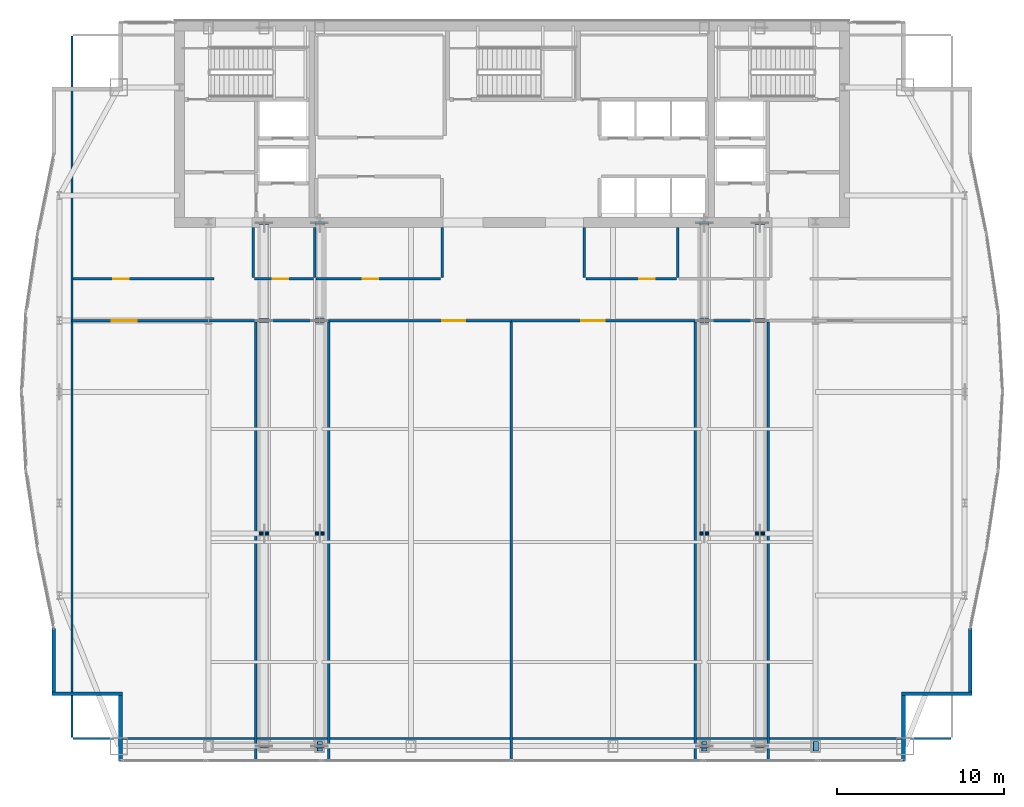
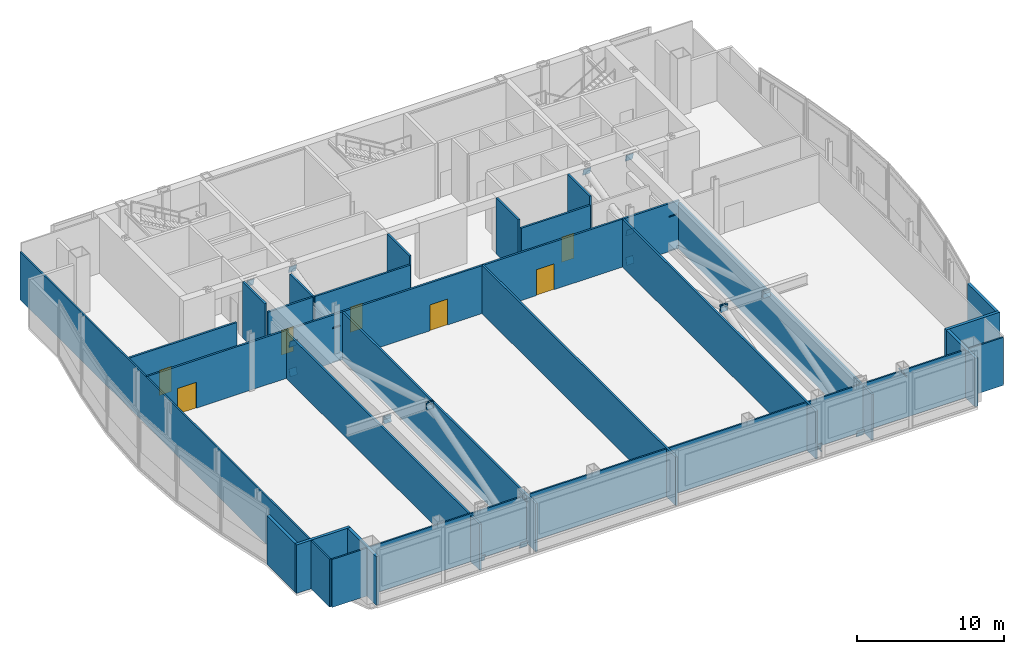
# One storey, part 27 of 32: 27 plates, 27 walls, 7 doors, 7 openings.
"""IFC4 building model written with IfcOpenShell, lengths in metres."""

from ifc_helpers import new_model, si_unit, direction, frame, frame_2d, origin, place, context, subcontext, project, spatial, polyline, rectangle, outline, extrude, material, layer, layer_set, type_object, element, fill, save


model = new_model("IFC4")

# Units and contexts
model_context = context("Model", 3, precision=1e-05, world=origin(), true_north=direction((0.0, 1.0)))
body_context = subcontext(model_context, "Body", "Model", "MODEL_VIEW")
ifc_project = project(units=[si_unit("LENGTHUNIT", "METRE"), si_unit("AREAUNIT", "SQUARE_METRE"), si_unit("VOLUMEUNIT", "CUBIC_METRE"), si_unit("PLANEANGLEUNIT", "RADIAN"), si_unit("MASSUNIT", "GRAM", prefix="KILO")], contexts=[model_context])

# Site, building, storey
site_placement = place(None, origin())
site = spatial("IfcSite", under=ifc_project, at=site_placement, CompositionType="ELEMENT")
building_placement = place(site_placement, origin())
building = spatial("IfcBuilding", under=site, at=building_placement, Name="Khoronbel Lancet Exchange", CompositionType="ELEMENT")
storey_placement = place(building_placement, frame((0.0, 0.0, 257.0)))
storey = spatial("IfcBuildingStorey", under=building, at=storey_placement, Name="L66", CompositionType="ELEMENT", Elevation=257.0)

# Plates
ifc_material_1 = material(Name="Steel S460", Category="steel")
ifc_layer_1 = layer(ifc_material_1, 0.044921875, Name="Steel S460")
ifc_layer_set_1 = layer_set([ifc_layer_1], Name="Steel S460")
plate_type = type_object("IfcPlateType", Name="PLT-ECP1", PredefinedType="USERDEFINED", material=ifc_layer_set_1)
for number, where, z_axis, x_axis, name in (
    (1, (21.8525390625, 10.244873046875, 0.025634765625), (0.0, 0.957803117299, 0.287425100666), (-1.0, 0.0, 0.0), "Hollow end cap plate PLT-CAP-MEM-L66-OBR1-1-0"),
    (2, (21.8525390625, 23.0400390625, 3.871826171875), (0.0, 0.957652324971, 0.287927116607), (-1.0, 0.0, 0.0), "Hollow end cap plate PLT-CAP-MEM-L66-OBR1-1-1"),
    (3, (21.2724609375, 22.809814453125, 3.871826171875), (0.0, -0.957652324971, 0.287927116607), (1.0, 0.0, 0.0), "Hollow end cap plate PLT-CAP-MEM-L66-OBR1-2-0"),
):
    element("IfcPlate", number, at=place(storey_placement, frame(where, z_axis=z_axis, x_axis=x_axis)), inside=storey, type_object=plate_type, Name=name, ObjectType="STIFFENER_PLATE", PredefinedType="USERDEFINED", context=body_context, shape_type="SweptSolid", body=[
        extrude(outline(polyline([(0.0, 0.0), (0.580078125, 0.0), (0.580078125, 0.580078125), (0.0, 0.580078125), (0.0, 0.0)])), origin(), (0.0, 0.0, -1.0), 0.044921875),
    ])
plate_1_placement = place(storey_placement, frame((21.2724609375, 35.60498046875, 0.025634765625), z_axis=(0.0, -0.957687201162, 0.287811092089), x_axis=(1.0, 0.0, 0.0)))
element("IfcPlate", 4, at=plate_1_placement, inside=storey, type_object=plate_type, Name="Hollow end cap plate PLT-CAP-MEM-L66-OBR1-2-1", ObjectType="STIFFENER_PLATE", PredefinedType="USERDEFINED", context=body_context, shape_type="SweptSolid", body=[
    extrude(outline(polyline([(0.0, 0.0), (0.580078125, 0.0), (0.580078125, 0.580322265625), (0.0, 0.580322265625), (0.0, 0.0)])), origin(), (0.0, 0.0, -1.0), 0.044921875),
])
for number, where, z_axis, x_axis, name in (
    (5, (21.8525390625, 35.781982421875, 2.401611328125), (0.0, 0.970167253729, 0.242436589218), (-1.0, 0.0, 0.0), "Hollow end cap plate PLT-CAP-MEM-L66-OBR1-3-0"),
    (6, (21.8525390625, 41.65234375, 3.86669921875), (0.0, 0.970167253729, 0.242436589218), (-1.0, 0.0, 0.0), "Hollow end cap plate PLT-CAP-MEM-L66-OBR1-3-1"),
):
    element("IfcPlate", number, at=place(storey_placement, frame(where, z_axis=z_axis, x_axis=x_axis)), inside=storey, type_object=plate_type, Name=name, ObjectType="STIFFENER_PLATE", PredefinedType="USERDEFINED", context=body_context, shape_type="SweptSolid", body=[
        extrude(outline(polyline([(0.0, 0.0), (0.580078125, 0.0), (0.580078125, 0.580078125), (0.0, 0.580078125), (0.0, 0.0)])), origin(), (0.0, 0.0, -1.0), 0.044921875),
    ])
for number, where, z_axis, x_axis, name in (
    (7, (25.18994140625, 10.244873046875, 0.025634765625), (0.0, 0.957803117299, 0.287425100666), (-1.0, 0.0, 0.0), "Hollow end cap plate PLT-CAP-MEM-L66-OBR2-1-0"),
    (8, (25.18994140625, 23.0400390625, 3.871826171875), (0.0, 0.957652324971, 0.287927116607), (-1.0, 0.0, 0.0), "Hollow end cap plate PLT-CAP-MEM-L66-OBR2-1-1"),
    (9, (24.610107421875, 22.809814453125, 3.871826171875), (0.0, -0.957652324971, 0.287927116607), (1.0, 0.0, 0.0), "Hollow end cap plate PLT-CAP-MEM-L66-OBR2-2-0"),
):
    element("IfcPlate", number, at=place(storey_placement, frame(where, z_axis=z_axis, x_axis=x_axis)), inside=storey, type_object=plate_type, Name=name, ObjectType="STIFFENER_PLATE", PredefinedType="USERDEFINED", context=body_context, shape_type="SweptSolid", body=[
        extrude(outline(polyline([(0.0, 0.0), (0.579833984375, 0.0), (0.579833984375, 0.580078125), (0.0, 0.580078125), (0.0, 0.0)])), origin(), (0.0, 0.0, -1.0), 0.044921875),
    ])
plate_2_placement = place(storey_placement, frame((24.610107421875, 35.60498046875, 0.025634765625), z_axis=(0.0, -0.957687201162, 0.287811092089), x_axis=(1.0, 0.0, 0.0)))
element("IfcPlate", 10, at=plate_2_placement, inside=storey, type_object=plate_type, Name="Hollow end cap plate PLT-CAP-MEM-L66-OBR2-2-1", ObjectType="STIFFENER_PLATE", PredefinedType="USERDEFINED", context=body_context, shape_type="SweptSolid", body=[
    extrude(outline(polyline([(0.0, 0.0), (0.579833984375, 0.0), (0.579833984375, 0.580322265625), (0.0, 0.580322265625), (0.0, 0.0)])), origin(), (0.0, 0.0, -1.0), 0.044921875),
])
for number, where, z_axis, x_axis, name in (
    (11, (25.18994140625, 35.781982421875, 2.401611328125), (0.0, 0.970167253729, 0.242436589218), (-1.0, 0.0, 0.0), "Hollow end cap plate PLT-CAP-MEM-L66-OBR2-3-0"),
    (12, (25.18994140625, 41.65234375, 3.86669921875), (0.0, 0.970167253729, 0.242436589218), (-1.0, 0.0, 0.0), "Hollow end cap plate PLT-CAP-MEM-L66-OBR2-3-1"),
):
    element("IfcPlate", number, at=place(storey_placement, frame(where, z_axis=z_axis, x_axis=x_axis)), inside=storey, type_object=plate_type, Name=name, ObjectType="STIFFENER_PLATE", PredefinedType="USERDEFINED", context=body_context, shape_type="SweptSolid", body=[
        extrude(outline(polyline([(0.0, 0.0), (0.579833984375, 0.0), (0.579833984375, 0.580078125), (0.0, 0.580078125), (0.0, 0.0)])), origin(), (0.0, 0.0, -1.0), 0.044921875),
    ])
for number, where, z_axis, x_axis, name in (
    (13, (48.2900390625, 10.244873046875, 0.025634765625), (0.0, 0.957803117299, 0.287425100666), (-1.0, 0.0, 0.0), "Hollow end cap plate PLT-CAP-MEM-L66-OBR3-1-0"),
    (14, (48.2900390625, 23.0400390625, 3.871826171875), (0.0, 0.957652324971, 0.287927116607), (-1.0, 0.0, 0.0), "Hollow end cap plate PLT-CAP-MEM-L66-OBR3-1-1"),
    (15, (47.7099609375, 22.809814453125, 3.871826171875), (0.0, -0.957652324971, 0.287927116607), (1.0, 0.0, 0.0), "Hollow end cap plate PLT-CAP-MEM-L66-OBR3-2-0"),
):
    element("IfcPlate", number, at=place(storey_placement, frame(where, z_axis=z_axis, x_axis=x_axis)), inside=storey, type_object=plate_type, Name=name, ObjectType="STIFFENER_PLATE", PredefinedType="USERDEFINED", context=body_context, shape_type="SweptSolid", body=[
        extrude(outline(polyline([(0.0, 0.0), (0.580078125, 0.0), (0.580078125, 0.580078125), (0.0, 0.580078125), (0.0, 0.0)])), origin(), (0.0, 0.0, -1.0), 0.044921875),
    ])
plate_3_placement = place(storey_placement, frame((47.7099609375, 35.60498046875, 0.025634765625), z_axis=(0.0, -0.957687201162, 0.287811092089), x_axis=(1.0, 0.0, 0.0)))
element("IfcPlate", 16, at=plate_3_placement, inside=storey, type_object=plate_type, Name="Hollow end cap plate PLT-CAP-MEM-L66-OBR3-2-1", ObjectType="STIFFENER_PLATE", PredefinedType="USERDEFINED", context=body_context, shape_type="SweptSolid", body=[
    extrude(outline(polyline([(0.0, 0.0), (0.580078125, 0.0), (0.580078125, 0.580322265625), (0.0, 0.580322265625), (0.0, 0.0)])), origin(), (0.0, 0.0, -1.0), 0.044921875),
])
for number, where, z_axis, x_axis, name in (
    (17, (48.2900390625, 35.781982421875, 2.401611328125), (0.0, 0.970167253729, 0.242436589218), (-1.0, 0.0, 0.0), "Hollow end cap plate PLT-CAP-MEM-L66-OBR3-3-0"),
    (18, (48.2900390625, 41.65234375, 3.86669921875), (0.0, 0.970167253729, 0.242436589218), (-1.0, 0.0, 0.0), "Hollow end cap plate PLT-CAP-MEM-L66-OBR3-3-1"),
):
    element("IfcPlate", number, at=place(storey_placement, frame(where, z_axis=z_axis, x_axis=x_axis)), inside=storey, type_object=plate_type, Name=name, ObjectType="STIFFENER_PLATE", PredefinedType="USERDEFINED", context=body_context, shape_type="SweptSolid", body=[
        extrude(outline(polyline([(0.0, 0.0), (0.580078125, 0.0), (0.580078125, 0.580078125), (0.0, 0.580078125), (0.0, 0.0)])), origin(), (0.0, 0.0, -1.0), 0.044921875),
    ])
for number, where, z_axis, x_axis, name in (
    (19, (51.62744140625, 10.244873046875, 0.025634765625), (0.0, 0.957803117299, 0.287425100666), (-1.0, 0.0, 0.0), "Hollow end cap plate PLT-CAP-MEM-L66-OBR4-1-0"),
    (20, (51.62744140625, 23.0400390625, 3.871826171875), (0.0, 0.957652324971, 0.287927116607), (-1.0, 0.0, 0.0), "Hollow end cap plate PLT-CAP-MEM-L66-OBR4-1-1"),
    (21, (51.047607421875, 22.809814453125, 3.871826171875), (0.0, -0.957652324971, 0.287927116607), (1.0, 0.0, 0.0), "Hollow end cap plate PLT-CAP-MEM-L66-OBR4-2-0"),
):
    element("IfcPlate", number, at=place(storey_placement, frame(where, z_axis=z_axis, x_axis=x_axis)), inside=storey, type_object=plate_type, Name=name, ObjectType="STIFFENER_PLATE", PredefinedType="USERDEFINED", context=body_context, shape_type="SweptSolid", body=[
        extrude(outline(polyline([(0.0, 0.0), (0.579833984375, 0.0), (0.579833984375, 0.580078125), (0.0, 0.580078125), (0.0, 0.0)])), origin(), (0.0, 0.0, -1.0), 0.044921875),
    ])
plate_4_placement = place(storey_placement, frame((51.047607421875, 35.60498046875, 0.025634765625), z_axis=(0.0, -0.957687201162, 0.287811092089), x_axis=(1.0, 0.0, 0.0)))
element("IfcPlate", 22, at=plate_4_placement, inside=storey, type_object=plate_type, Name="Hollow end cap plate PLT-CAP-MEM-L66-OBR4-2-1", ObjectType="STIFFENER_PLATE", PredefinedType="USERDEFINED", context=body_context, shape_type="SweptSolid", body=[
    extrude(outline(polyline([(0.0, 0.0), (0.579833984375, 0.0), (0.579833984375, 0.580322265625), (0.0, 0.580322265625), (0.0, 0.0)])), origin(), (0.0, 0.0, -1.0), 0.044921875),
])
for number, where, z_axis, x_axis, name in (
    (23, (51.62744140625, 35.781982421875, 2.401611328125), (0.0, 0.970167253729, 0.242436589218), (-1.0, 0.0, 0.0), "Hollow end cap plate PLT-CAP-MEM-L66-OBR4-3-0"),
    (24, (51.62744140625, 41.65234375, 3.86669921875), (0.0, 0.970167253729, 0.242436589218), (-1.0, 0.0, 0.0), "Hollow end cap plate PLT-CAP-MEM-L66-OBR4-3-1"),
    (25, (25.0732421875, 9.860107421875, 3.905029296875), (0.866710695082, 0.0, 0.498811157684), (0.0, 1.0, 0.0), "Hollow end cap plate PLT-CAP-MEM-L66-BELT-1-1"),
    (26, (48.155029296875, 9.860107421875, 0.0546875), (0.866710695082, 0.0, 0.498811157684), (0.0, 1.0, 0.0), "Hollow end cap plate PLT-CAP-MEM-L66-BELT-2-0"),
):
    element("IfcPlate", number, at=place(storey_placement, frame(where, z_axis=z_axis, x_axis=x_axis)), inside=storey, type_object=plate_type, Name=name, ObjectType="STIFFENER_PLATE", PredefinedType="USERDEFINED", context=body_context, shape_type="SweptSolid", body=[
        extrude(outline(polyline([(0.0, 0.0), (0.579833984375, 0.0), (0.579833984375, 0.580078125), (0.0, 0.580078125), (0.0, 0.0)])), origin(), (0.0, 0.0, -1.0), 0.044921875),
    ])
plate_5_placement = place(storey_placement, frame((54.84814453125, 9.860107421875, 3.905029296875), z_axis=(0.866892657454, 0.0, 0.498494854991), x_axis=(0.0, 1.0, 0.0)))
element("IfcPlate", 27, at=plate_5_placement, inside=storey, type_object=plate_type, Name="Hollow end cap plate PLT-CAP-MEM-L66-BELT-2-1", ObjectType="STIFFENER_PLATE", PredefinedType="USERDEFINED", context=body_context, shape_type="SweptSolid", body=[
    extrude(outline(polyline([(0.0, 0.0), (0.579833984375, 0.0), (0.579833984375, 0.579833984375), (0.0, 0.579833984375), (0.0, 0.0)])), origin(), (0.0, 0.0, -1.0), 0.044921875),
])

# Walls
ifc_material_2 = material(Name="Precast concrete C40/50", Category="concrete")
ifc_layer_2 = layer(ifc_material_2, 0.25, Name="Precast concrete C40/50")
ifc_layer_set_2 = layer_set([ifc_layer_2], Name="Precast concrete C40/50")
wall_type_1 = type_object("IfcWallType", Name="WL-EXT250", PredefinedType="SOLIDWALL", material=ifc_layer_set_2)
wall_1_placement = place(storey_placement, frame((12.93994140625, 9.27001953125, 0.0), z_axis=(0.0, 0.0, 1.0), x_axis=(0.0, 1.0, 0.0)))
element("IfcWall", 28, at=wall_1_placement, inside=storey, type_object=wall_type_1, Name="Level L66 notched-corner limestone pier 01", PredefinedType="SOLIDWALL", context=body_context, shape_type="SweptSolid", body=[
    extrude(rectangle(XDim=3.909912109375, YDim=0.219970703125, at=frame_2d((1.955078125, 0.0))), origin(), (0.0, 0.0, 1.0), 4.030029296875),
])
wall_2_placement = place(storey_placement, frame((13.050048828125, 13.2900390625, 0.0), z_axis=(0.0, 0.0, 1.0), x_axis=(-1.0, 0.0, 0.0)))
element("IfcWall", 29, at=wall_2_placement, inside=storey, type_object=wall_type_1, Name="Level L66 notched-corner limestone pier 02", PredefinedType="SOLIDWALL", context=body_context, shape_type="SweptSolid", body=[
    extrude(rectangle(XDim=4.219970703125, YDim=0.219970703125, at=frame_2d((2.10986328125, 0.0))), origin(), (0.0, 0.0, 1.0), 4.030029296875),
])
for number, where, z_axis, x_axis, name in (
    (30, (8.93994140625, 13.39990234375, 0.0), (0.0, 0.0, 1.0), (0.0, 1.0, 0.0), "Level L66 notched-corner limestone pier 03"),
    (31, (63.9599609375, 17.22900390625, 0.0), (0.0, 0.0, 1.0), (0.0, -1.0, 0.0), "Level L66 notched-corner limestone pier 23"),
):
    element("IfcWall", number, at=place(storey_placement, frame(where, z_axis=z_axis, x_axis=x_axis)), inside=storey, type_object=wall_type_1, Name=name, PredefinedType="SOLIDWALL", context=body_context, shape_type="SweptSolid", body=[
        extrude(rectangle(XDim=3.8291015625, YDim=0.219970703125, at=frame_2d((1.91455078125, 0.0))), origin(), (0.0, 0.0, 1.0), 4.030029296875),
    ])
wall_3_placement = place(storey_placement, frame((64.070068359375, 13.2900390625, 0.0), z_axis=(0.0, 0.0, 1.0), x_axis=(-1.0, 0.0, 0.0)))
element("IfcWall", 32, at=wall_3_placement, inside=storey, type_object=wall_type_1, Name="Level L66 notched-corner limestone pier 24", PredefinedType="SOLIDWALL", context=body_context, shape_type="SweptSolid", body=[
    extrude(rectangle(XDim=4.219970703125, YDim=0.219970703125, at=frame_2d((2.10986328125, 0.0))), origin(), (0.0, 0.0, 1.0), 4.030029296875),
])
wall_4_placement = place(storey_placement, frame((59.9599609375, 13.179931640625, 0.0), z_axis=(0.0, 0.0, 1.0), x_axis=(0.0, -1.0, 0.0)))
element("IfcWall", 33, at=wall_4_placement, inside=storey, type_object=wall_type_1, Name="Level L66 notched-corner limestone pier 25", PredefinedType="SOLIDWALL", context=body_context, shape_type="SweptSolid", body=[
    extrude(rectangle(XDim=3.909912109375, YDim=0.219970703125, at=frame_2d((1.955078125, 0.0))), origin(), (0.0, 0.0, 1.0), 4.030029296875),
])
ifc_material_3 = material(Name="Acoustic Metal-Stud & Mineral-Wool Gypsum Partition 120 mm", Category="gypsum")
ifc_layer_3 = layer(ifc_material_3, 0.1201171875, Name="Acoustic Metal-Stud & Mineral-Wool Gypsum Partition 120 mm")
ifc_layer_set_3 = layer_set([ifc_layer_3], Name="Acoustic Metal-Stud & Mineral-Wool Gypsum Partition 120 mm")
wall_type_2 = type_object("IfcWallType", Name="WL-PRT120", PredefinedType="PARTITIONING", material=ifc_layer_set_3)
wall_5_placement = place(storey_placement, frame((20.89990234375, 38.280029296875, 0.0), z_axis=(0.0, 0.0, 1.0), x_axis=(0.0, 1.0, 0.0)))
element("IfcWall", 34, at=wall_5_placement, inside=storey, type_object=wall_type_2, Name="Level L66 interior partition PW-RF-WC0", PredefinedType="PARTITIONING", context=body_context, shape_type="SweptSolid", body=[
    extrude(rectangle(XDim=3.02001953125, YDim=0.14990234375, at=frame_2d((1.510009765625, 0.0))), origin(), (0.0, 0.0, 1.0), 4.639892578125),
])
wall_6_placement = place(storey_placement, frame((24.60009765625, 38.280029296875, 0.0), z_axis=(0.0, 0.0, 1.0), x_axis=(0.0, 1.0, 0.0)))
element("IfcWall", 35, at=wall_6_placement, inside=storey, type_object=wall_type_2, Name="Level L66 interior partition PW-RF-WC", PredefinedType="PARTITIONING", context=body_context, shape_type="SweptSolid", body=[
    extrude(rectangle(XDim=3.02001953125, YDim=0.14990234375, at=frame_2d((1.510009765625, 0.0))), origin(), (0.0, 0.0, 1.0), 3.97998046875),
])
for number, where, z_axis, x_axis, name in (
    (36, (32.25, 38.280029296875, 0.0), (0.0, 0.0, 1.0), (0.0, 1.0, 0.0), "Level L66 interior partition PW-RF-WC3"),
    (37, (40.800048828125, 38.280029296875, 0.0), (0.0, 0.0, 1.0), (0.0, 1.0, 0.0), "Level L66 interior partition PW-RF-NE0"),
    (38, (46.39990234375, 38.280029296875, 0.0), (0.0, 0.0, 1.0), (0.0, 1.0, 0.0), "Level L66 interior partition PW-RF-NEM"),
):
    element("IfcWall", number, at=place(storey_placement, frame(where, z_axis=z_axis, x_axis=x_axis)), inside=storey, type_object=wall_type_2, Name=name, PredefinedType="PARTITIONING", context=body_context, shape_type="SweptSolid", body=[
        extrude(rectangle(XDim=3.02001953125, YDim=0.14990234375, at=frame_2d((1.510009765625, 0.0))), origin(), (0.0, 0.0, 1.0), 4.639892578125),
    ])
wall_7_placement = place(storey_placement, frame((10.030029296875, 10.6650390625, 0.0), z_axis=(0.0, 0.0, 1.0), x_axis=(0.0, 1.0, 0.0)))
element("IfcWall", 39, at=wall_7_placement, inside=storey, type_object=wall_type_2, Name="Level L66 interior partition PW-LIN-W", PredefinedType="PARTITIONING", context=body_context, shape_type="SweptSolid", body=[
    extrude(rectangle(XDim=42.10986328125, YDim=0.1201171875, at=frame_2d((21.054931640625, 0.0))), origin(), (0.0, 0.0, 1.0), 3.97998046875),
])
wall_8_placement = place(storey_placement, frame((10.094970703125, 10.60009765625, 0.0), z_axis=(0.0, 0.0, 1.0), x_axis=(1.0, 0.0, 0.0)))
element("IfcWall", 40, at=wall_8_placement, inside=storey, type_object=wall_type_2, Name="Level L66 interior partition PW-LIN-S", PredefinedType="PARTITIONING", context=body_context, shape_type="SweptSolid", body=[
    extrude(rectangle(XDim=52.7099609375, YDim=0.1201171875, at=frame_2d((26.35498046875, 0.0))), origin(), (0.0, 0.0, 1.0), 3.97998046875),
])

# Wall, opening, door
ifc_material_4 = material(Name="Fire-Rated Twin-Stud Acoustic Gypsum Partition 150 mm", Category="gypsum")
ifc_layer_4 = layer(ifc_material_4, 0.14990234375, Name="Fire-Rated Twin-Stud Acoustic Gypsum Partition 150 mm")
ifc_layer_set_4 = layer_set([ifc_layer_4], Name="Fire-Rated Twin-Stud Acoustic Gypsum Partition 150 mm")
wall_type_3 = type_object("IfcWallType", Name="WL-PRT150C", PredefinedType="PARTITIONING", material=ifc_layer_set_4)
wall_9_placement = place(storey_placement, frame((10.030029296875, 35.699951171875, 0.0), z_axis=(0.0, 0.0, 1.0), x_axis=(1.0, 0.0, 0.0)))
wall_9 = element("IfcWall", 41, at=wall_9_placement, inside=storey, type_object=wall_type_3, Name="Level L66 interior partition PW-RF-S1", PredefinedType="PARTITIONING", context=body_context, shape_type="SweptSolid", body=[
    extrude(rectangle(XDim=11.02001953125, YDim=0.14990234375, at=frame_2d((5.510009765625, 0.0))), origin(), (0.0, 0.0, 1.0), 3.97998046875),
])
opening_1_placement = place(wall_9_placement, frame((2.39990234375, 0.0, 0.0)))
opening_1 = element("IfcOpeningElement", 42, at=opening_1_placement, cuts=wall_9, Name="Opening FD2", PredefinedType="OPENING", context=body_context, shape_type="SweptSolid", body=[
    extrude(rectangle(XDim=1.5, YDim=2.14990234375, at=frame_2d((0.75, 1.074951171875))), frame((0.0, 0.0849609375, 0.0), z_axis=(0.0, -1.0, 0.0), x_axis=(1.0, 0.0, 0.0)), (0.0, 0.0, 1.0), 0.169921875),
])
ifc_material_5 = material(Name="Fire-Rated Painted Steel Door Assembly", Category="steel")
door_type_1 = type_object("IfcDoorType", Name="DR-FD2", OperationType="NOTDEFINED", PredefinedType="DOOR", material=ifc_material_5)
door_1_placement = place(opening_1_placement, origin())
door_1 = element("IfcDoor", 43, at=door_1_placement, inside=storey, type_object=door_type_1, Name="West refuge area fire door L66-1", OperationType="DOUBLE_DOOR_SINGLE_SWING", OverallHeight=2.14990234375, OverallWidth=1.5, PredefinedType="DOOR", context=body_context, shape_type="SweptSolid", body=[
    extrude(rectangle(XDim=1.5, YDim=2.14990234375, at=frame_2d((0.75, 1.074951171875))), frame((0.0, 0.02490234375, 0.0), z_axis=(0.0, -1.0, 0.0), x_axis=(1.0, 0.0, 0.0)), (0.0, 0.0, 1.0), 0.050048828125),
])
fill(opening_1, door_1)

# Wall
wall_10_placement = place(storey_placement, frame((21.050048828125, 35.699951171875, 0.0), z_axis=(0.0, 0.0, 1.0), x_axis=(1.0, 0.0, 0.0)))
element("IfcWall", 44, at=wall_10_placement, inside=storey, type_object=wall_type_3, Name="Level L66 interior partition PW-RF-S2", PredefinedType="PARTITIONING", context=body_context, shape_type="SweptSolid", body=[
    extrude(rectangle(XDim=4.39990234375, YDim=0.14990234375, at=frame_2d((2.199951171875, 0.0))), origin(), (0.0, 0.0, 1.0), 3.97998046875),
])

# Wall, opening, door
wall_11_placement = place(storey_placement, frame((25.449951171875, 35.699951171875, 0.0), z_axis=(0.0, 0.0, 1.0), x_axis=(1.0, 0.0, 0.0)))
wall_11 = element("IfcWall", 45, at=wall_11_placement, inside=storey, type_object=wall_type_3, Name="Level L66 interior partition PW-RF-S3", PredefinedType="PARTITIONING", context=body_context, shape_type="SweptSolid", body=[
    extrude(rectangle(XDim=10.969970703125, YDim=0.14990234375, at=frame_2d((5.48486328125, 0.0))), origin(), (0.0, 0.0, 1.0), 3.97998046875),
])
opening_2_placement = place(wall_11_placement, frame((6.800048828125, 0.0, 0.0)))
opening_2 = element("IfcOpeningElement", 46, at=opening_2_placement, cuts=wall_11, Name="Opening D7", PredefinedType="OPENING", context=body_context, shape_type="SweptSolid", body=[
    extrude(rectangle(XDim=1.39990234375, YDim=2.14990234375, at=frame_2d((0.699951171875, 1.074951171875))), frame((0.0, 0.0849609375, 0.0), z_axis=(0.0, -1.0, 0.0), x_axis=(1.0, 0.0, 0.0)), (0.0, 0.0, 1.0), 0.169921875),
])
ifc_material_6 = material(Name="Fire-Rated Heavy Plant Double Door Assembly", Category="steel")
door_type_2 = type_object("IfcDoorType", Name="DR-D7", OperationType="NOTDEFINED", PredefinedType="DOOR", material=ifc_material_6)
door_2_placement = place(opening_2_placement, origin())
door_2 = element("IfcDoor", 47, at=door_2_placement, inside=storey, type_object=door_type_2, Name="Central AHU plant double door L66-1", OperationType="DOUBLE_DOOR_SINGLE_SWING", OverallHeight=2.14990234375, OverallWidth=1.39990234375, PredefinedType="DOOR", context=body_context, shape_type="SweptSolid", body=[
    extrude(rectangle(XDim=1.39990234375, YDim=2.14990234375, at=frame_2d((0.699951171875, 1.074951171875))), frame((0.0, 0.02490234375, 0.0), z_axis=(0.0, -1.0, 0.0), x_axis=(1.0, 0.0, 0.0)), (0.0, 0.0, 1.0), 0.050048828125),
])
fill(opening_2, door_2)

wall_12_placement = place(storey_placement, frame((36.419921875, 35.699951171875, 0.0), z_axis=(0.0, 0.0, 1.0), x_axis=(1.0, 0.0, 0.0)))
wall_12 = element("IfcWall", 48, at=wall_12_placement, inside=storey, type_object=wall_type_3, Name="Level L66 interior partition PW-RF-S4", PredefinedType="PARTITIONING", context=body_context, shape_type="SweptSolid", body=[
    extrude(rectangle(XDim=11.030029296875, YDim=0.14990234375, at=frame_2d((5.51513671875, 0.0))), origin(), (0.0, 0.0, 1.0), 3.97998046875),
])
opening_3_placement = place(wall_12_placement, frame((4.199951171875, 0.0, 0.0)))
opening_3 = element("IfcOpeningElement", 49, at=opening_3_placement, cuts=wall_12, Name="Opening D7", PredefinedType="OPENING", context=body_context, shape_type="SweptSolid", body=[
    extrude(rectangle(XDim=1.39990234375, YDim=2.14990234375, at=frame_2d((0.699951171875, 1.074951171875))), frame((0.0, 0.0849609375, 0.0), z_axis=(0.0, -1.0, 0.0), x_axis=(1.0, 0.0, 0.0)), (0.0, 0.0, 1.0), 0.169921875),
])
door_3_placement = place(opening_3_placement, origin())
door_3 = element("IfcDoor", 50, at=door_3_placement, inside=storey, type_object=door_type_2, Name="Chilled-water booster plant double door L66-1", OperationType="DOUBLE_DOOR_SINGLE_SWING", OverallHeight=2.14990234375, OverallWidth=1.39990234375, PredefinedType="DOOR", context=body_context, shape_type="SweptSolid", body=[
    extrude(rectangle(XDim=1.39990234375, YDim=2.14990234375, at=frame_2d((0.699951171875, 1.074951171875))), frame((0.0, 0.02490234375, 0.0), z_axis=(0.0, -1.0, 0.0), x_axis=(1.0, 0.0, 0.0)), (0.0, 0.0, 1.0), 0.050048828125),
])
fill(opening_3, door_3)

# Walls
wall_13_placement = place(storey_placement, frame((47.449951171875, 35.699951171875, 0.0), z_axis=(0.0, 0.0, 1.0), x_axis=(1.0, 0.0, 0.0)))
element("IfcWall", 51, at=wall_13_placement, inside=storey, type_object=wall_type_3, Name="Level L66 interior partition PW-RF-S5", PredefinedType="PARTITIONING", context=body_context, shape_type="SweptSolid", body=[
    extrude(rectangle(XDim=4.400146484375, YDim=0.14990234375, at=frame_2d((2.2001953125, 0.0))), origin(), (0.0, 0.0, 1.0), 3.97998046875),
])
wall_14_placement = place(storey_placement, frame((36.419921875, 9.320068359375, 0.0), z_axis=(0.0, 0.0, 1.0), x_axis=(0.0, 1.0, 0.0)))
element("IfcWall", 52, at=wall_14_placement, inside=storey, type_object=wall_type_3, Name="Level L66 interior partition PW-RF-MID", PredefinedType="PARTITIONING", context=body_context, shape_type="SweptSolid", body=[
    extrude(rectangle(XDim=26.300048828125, YDim=0.14990234375, at=frame_2d((13.14990234375, 0.0))), origin(), (0.0, 0.0, 1.0), 4.030029296875),
])
wall_15_placement = place(storey_placement, frame((21.050048828125, 9.320068359375, 0.0), z_axis=(0.0, 0.0, 1.0), x_axis=(0.0, 1.0, 0.0)))
element("IfcWall", 53, at=wall_15_placement, inside=storey, type_object=wall_type_3, Name="Level L66 interior partition PW-RF-OW-W1", PredefinedType="PARTITIONING", context=body_context, shape_type="SweptSolid", body=[
    extrude(rectangle(XDim=26.300048828125, YDim=0.14990234375, at=frame_2d((13.14990234375, 0.0))), origin(), (0.0, 0.0, 1.0), 3.830078125),
])
for number, where, z_axis, x_axis, name in (
    (54, (25.449951171875, 9.320068359375, 0.0), (0.0, 0.0, 1.0), (0.0, 1.0, 0.0), "Level L66 interior partition PW-RF-OW-W2"),
    (55, (47.449951171875, 9.320068359375, 0.0), (0.0, 0.0, 1.0), (0.0, 1.0, 0.0), "Level L66 interior partition PW-RF-OW-E1"),
):
    element("IfcWall", number, at=place(storey_placement, frame(where, z_axis=z_axis, x_axis=x_axis)), inside=storey, type_object=wall_type_3, Name=name, PredefinedType="PARTITIONING", context=body_context, shape_type="SweptSolid", body=[
        extrude(rectangle(XDim=26.300048828125, YDim=0.14990234375, at=frame_2d((13.14990234375, 0.0))), origin(), (0.0, 0.0, 1.0), 3.97998046875),
    ])
wall_16_placement = place(storey_placement, frame((51.85009765625, 9.320068359375, 0.0), z_axis=(0.0, 0.0, 1.0), x_axis=(0.0, 1.0, 0.0)))
element("IfcWall", 56, at=wall_16_placement, inside=storey, type_object=wall_type_3, Name="Level L66 interior partition PW-RF-OW-E2", PredefinedType="PARTITIONING", context=body_context, shape_type="SweptSolid", body=[
    extrude(rectangle(XDim=26.300048828125, YDim=0.14990234375, at=frame_2d((13.14990234375, 0.0))), origin(), (0.0, 0.0, 1.0), 3.830078125),
])

# Wall, opening, door
wall_17_placement = place(storey_placement, frame((20.97998046875, 38.199951171875, 0.0), z_axis=(0.0, 0.0, 1.0), x_axis=(1.0, 0.0, 0.0)))
wall_17 = element("IfcWall", 57, at=wall_17_placement, inside=storey, type_object=wall_type_3, Name="Level L66 interior partition PW-RF-N1", PredefinedType="PARTITIONING", context=body_context, shape_type="SweptSolid", body=[
    extrude(rectangle(XDim=3.5400390625, YDim=0.14990234375, at=frame_2d((1.77001953125, 0.0))), origin(), (0.0, 0.0, 1.0), 3.97998046875),
])
opening_4_placement = place(wall_17_placement, frame((1.10009765625, 0.0, 0.0)))
opening_4 = element("IfcOpeningElement", 58, at=opening_4_placement, cuts=wall_17, Name="Opening D4", PredefinedType="OPENING", context=body_context, shape_type="SweptSolid", body=[
    extrude(rectangle(XDim=0.949951171875, YDim=2.050048828125, at=frame_2d((0.47509765625, 1.02490234375))), frame((0.0, 0.0849609375, 0.0), z_axis=(0.0, -1.0, 0.0), x_axis=(1.0, 0.0, 0.0)), (0.0, 0.0, 1.0), 0.169921875),
])
ifc_material_7 = material(Name="Moisture-Resistant HPL Washroom Door", Category="wood")
door_type_3 = type_object("IfcDoorType", Name="DR-D4", OperationType="NOTDEFINED", PredefinedType="DOOR", material=ifc_material_7)
door_4_placement = place(opening_4_placement, origin())
door_4 = element("IfcDoor", 59, at=door_4_placement, inside=storey, type_object=door_type_3, Name="Refuge accessible WC door L66-1", OperationType="SINGLE_SWING_RIGHT", OverallHeight=2.050048828125, OverallWidth=0.949951171875, PredefinedType="DOOR", context=body_context, shape_type="SweptSolid", body=[
    extrude(rectangle(XDim=0.949951171875, YDim=2.050048828125, at=frame_2d((0.47509765625, 1.02490234375))), frame((0.0, 0.02490234375, 0.0), z_axis=(0.0, -1.0, 0.0), x_axis=(1.0, 0.0, 0.0)), (0.0, 0.0, 1.0), 0.050048828125),
])
fill(opening_4, door_4)

wall_18_placement = place(storey_placement, frame((24.679931640625, 38.199951171875, 0.0), z_axis=(0.0, 0.0, 1.0), x_axis=(1.0, 0.0, 0.0)))
wall_18 = element("IfcWall", 60, at=wall_18_placement, inside=storey, type_object=wall_type_3, Name="Level L66 interior partition PW-RF-N2", PredefinedType="PARTITIONING", context=body_context, shape_type="SweptSolid", body=[
    extrude(rectangle(XDim=7.489990234375, YDim=0.14990234375, at=frame_2d((3.7451171875, 0.0))), origin(), (0.0, 0.0, 1.0), 3.97998046875),
])
opening_5_placement = place(wall_18_placement, frame((2.800048828125, 0.0, 0.0)))
opening_5 = element("IfcOpeningElement", 61, at=opening_5_placement, cuts=wall_18, Name="Opening FD3", PredefinedType="OPENING", context=body_context, shape_type="SweptSolid", body=[
    extrude(rectangle(XDim=0.949951171875, YDim=2.10009765625, at=frame_2d((0.47509765625, 1.050048828125))), frame((0.0, 0.0849609375, 0.0), z_axis=(0.0, -1.0, 0.0), x_axis=(1.0, 0.0, 0.0)), (0.0, 0.0, 1.0), 0.169921875),
])
ifc_material_8 = material(Name="Fire-Rated Steel Plant & Riser Door Assembly", Category="steel")
door_type_4 = type_object("IfcDoorType", Name="DR-FD3", OperationType="NOTDEFINED", PredefinedType="DOOR", material=ifc_material_8)
door_5_placement = place(opening_5_placement, origin())
door_5 = element("IfcDoor", 62, at=door_5_placement, inside=storey, type_object=door_type_4, Name="Fire pump plant room door L66-1", OperationType="SINGLE_SWING_LEFT", OverallHeight=2.10009765625, OverallWidth=0.949951171875, PredefinedType="DOOR", context=body_context, shape_type="SweptSolid", body=[
    extrude(rectangle(XDim=0.949951171875, YDim=2.10009765625, at=frame_2d((0.47509765625, 1.050048828125))), frame((0.0, 0.02490234375, 0.0), z_axis=(0.0, -1.0, 0.0), x_axis=(1.0, 0.0, 0.0)), (0.0, 0.0, 1.0), 0.050048828125),
])
fill(opening_5, door_5)

wall_19_placement = place(storey_placement, frame((40.8798828125, 38.199951171875, 0.0), z_axis=(0.0, 0.0, 1.0), x_axis=(1.0, 0.0, 0.0)))
wall_19 = element("IfcWall", 63, at=wall_19_placement, inside=storey, type_object=wall_type_3, Name="Level L66 interior partition PW-RF-NE1", PredefinedType="PARTITIONING", context=body_context, shape_type="SweptSolid", body=[
    extrude(rectangle(XDim=5.440185546875, YDim=0.14990234375, at=frame_2d((2.72021484375, 0.0))), origin(), (0.0, 0.0, 1.0), 3.97998046875),
])
opening_6_placement = place(wall_19_placement, frame((3.199951171875, 0.0, 0.0)))
opening_6 = element("IfcOpeningElement", 64, at=opening_6_placement, cuts=wall_19, Name="Opening FD3", PredefinedType="OPENING", context=body_context, shape_type="SweptSolid", body=[
    extrude(rectangle(XDim=0.949951171875, YDim=2.10009765625, at=frame_2d((0.47509765625, 1.050048828125))), frame((0.0, 0.0849609375, 0.0), z_axis=(0.0, -1.0, 0.0), x_axis=(1.0, 0.0, 0.0)), (0.0, 0.0, 1.0), 0.169921875),
])
door_6_placement = place(opening_6_placement, origin())
door_6 = element("IfcDoor", 65, at=door_6_placement, inside=storey, type_object=door_type_4, Name="Transformer plant room door L66-1", OperationType="SINGLE_SWING_RIGHT", OverallHeight=2.10009765625, OverallWidth=0.949951171875, PredefinedType="DOOR", context=body_context, shape_type="SweptSolid", body=[
    extrude(rectangle(XDim=0.949951171875, YDim=2.10009765625, at=frame_2d((0.47509765625, 1.050048828125))), frame((0.0, 0.02490234375, 0.0), z_axis=(0.0, -1.0, 0.0), x_axis=(1.0, 0.0, 0.0)), (0.0, 0.0, 1.0), 0.050048828125),
])
fill(opening_6, door_6)

wall_20_placement = place(storey_placement, frame((10.094970703125, 38.199951171875, 0.0), z_axis=(0.0, 0.0, 1.0), x_axis=(1.0, 0.0, 0.0)))
wall_20 = element("IfcWall", 66, at=wall_20_placement, inside=storey, type_object=wall_type_3, Name="Level L66 interior partition PW-RF-NWS", PredefinedType="PARTITIONING", context=body_context, shape_type="SweptSolid", body=[
    extrude(rectangle(XDim=8.455078125, YDim=0.14990234375, at=frame_2d((4.2275390625, 0.0))), origin(), (0.0, 0.0, 1.0), 3.97998046875),
])
opening_7_placement = place(wall_20_placement, frame((2.39990234375, 0.0, 0.0)))
opening_7 = element("IfcOpeningElement", 67, at=opening_7_placement, cuts=wall_20, Name="Opening FD3", PredefinedType="OPENING", context=body_context, shape_type="SweptSolid", body=[
    extrude(rectangle(XDim=0.949951171875, YDim=2.10009765625, at=frame_2d((0.47509765625, 1.050048828125))), frame((0.0, 0.0849609375, 0.0), z_axis=(0.0, -1.0, 0.0), x_axis=(1.0, 0.0, 0.0)), (0.0, 0.0, 1.0), 0.169921875),
])
door_7_placement = place(opening_7_placement, origin())
door_7 = element("IfcDoor", 68, at=door_7_placement, inside=storey, type_object=door_type_4, Name="NW smoke fan plant door L66-1", OperationType="SINGLE_SWING_RIGHT", OverallHeight=2.10009765625, OverallWidth=0.949951171875, PredefinedType="DOOR", context=body_context, shape_type="SweptSolid", body=[
    extrude(rectangle(XDim=0.949951171875, YDim=2.10009765625, at=frame_2d((0.47509765625, 1.050048828125))), frame((0.0, 0.02490234375, 0.0), z_axis=(0.0, -1.0, 0.0), x_axis=(1.0, 0.0, 0.0)), (0.0, 0.0, 1.0), 0.050048828125),
])
fill(opening_7, door_7)

save(model, "model.ifc")
